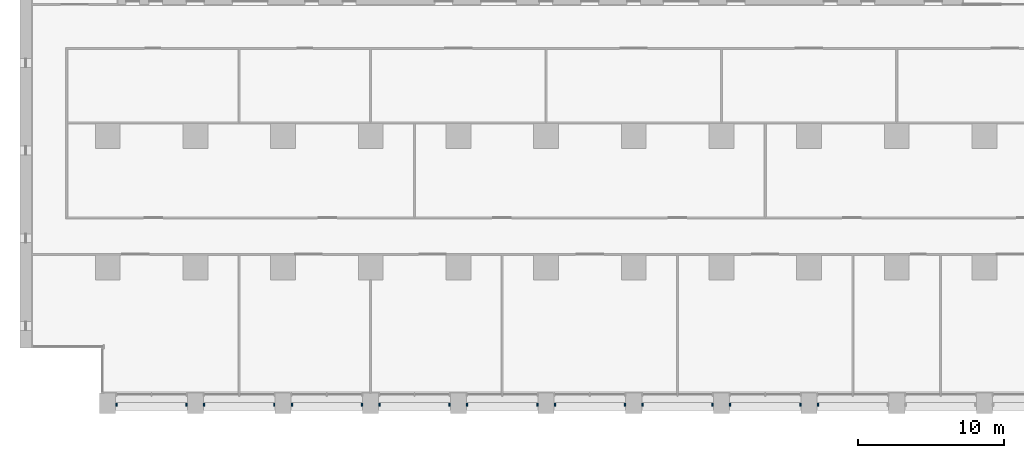
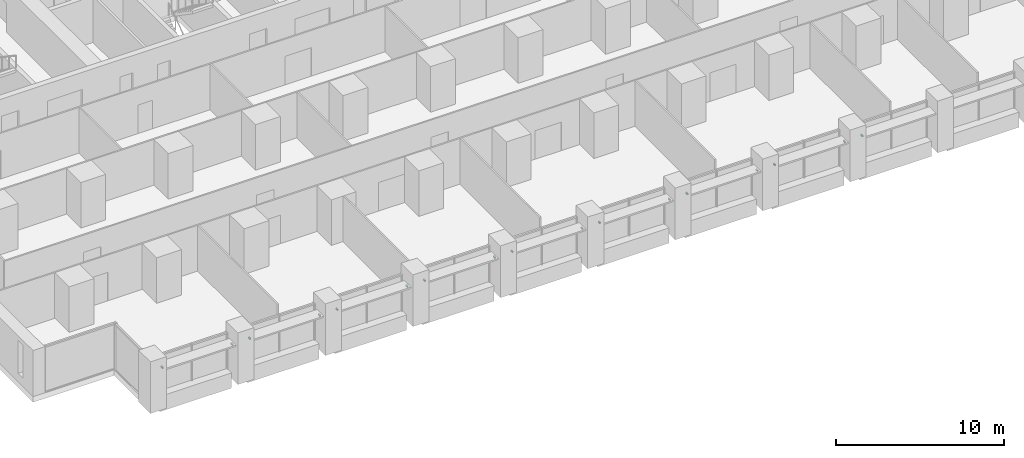
# One storey, part 15 of 18: 17 discrete accessories.
"""IFC4 building model written with IfcOpenShell, lengths in metres."""

from ifc_helpers import new_model, si_unit, direction, frame, origin, origin_2d, place, context, subcontext, project, spatial, rectangle, extrude, element, save


model = new_model("IFC4")

# Units and contexts
model_context = context("Model", 3, precision=1e-05, world=origin(), true_north=direction((0.0, 1.0)))
body_context = subcontext(model_context, "Body", "Model", "MODEL_VIEW")
ifc_project = project(units=[si_unit("LENGTHUNIT", "METRE"), si_unit("AREAUNIT", "SQUARE_METRE"), si_unit("VOLUMEUNIT", "CUBIC_METRE"), si_unit("PLANEANGLEUNIT", "RADIAN"), si_unit("MASSUNIT", "GRAM", prefix="KILO")], contexts=[model_context])

# Site, building, storey
site_placement = place(None, origin())
site = spatial("IfcSite", under=ifc_project, at=site_placement, CompositionType="ELEMENT")
building_placement = place(site_placement, origin())
building = spatial("IfcBuilding", under=site, at=building_placement, Name="Calvaro Tower", CompositionType="ELEMENT")
storey_placement = place(building_placement, frame((0.0, 0.0, 45.0)))
storey = spatial("IfcBuildingStorey", under=building, at=storey_placement, Name="L10", CompositionType="ELEMENT", Elevation=45.0)

# Discrete accessories
for number, where, z_axis, x_axis, name in (
    (1, (6.60009765625, 0.60009765625, 2.14990234375), (0.0, 0.0, 1.0), (1.0, 0.0, 0.0), "Brise-soleil bracket"),
    (2, (11.39990234375, 0.60009765625, 2.14990234375), (0.0, 0.0, 1.0), (1.0, 0.0, 0.0), "Brise-soleil bracket"),
    (3, (12.60009765625, 0.60009765625, 2.14990234375), (0.0, 0.0, 1.0), (1.0, 0.0, 0.0), "Brise-soleil bracket"),
    (4, (17.39990234375, 0.60009765625, 2.14990234375), (0.0, 0.0, 1.0), (1.0, 0.0, 0.0), "Brise-soleil bracket"),
    (5, (18.60009765625, 0.60009765625, 2.14990234375), (0.0, 0.0, 1.0), (1.0, 0.0, 0.0), "Brise-soleil bracket"),
    (6, (23.39990234375, 0.60009765625, 2.14990234375), (0.0, 0.0, 1.0), (1.0, 0.0, 0.0), "Brise-soleil bracket"),
    (7, (24.60009765625, 0.60009765625, 2.14990234375), (0.0, 0.0, 1.0), (1.0, 0.0, 0.0), "Brise-soleil bracket"),
    (8, (29.39990234375, 0.60009765625, 2.14990234375), (0.0, 0.0, 1.0), (1.0, 0.0, 0.0), "Brise-soleil bracket"),
    (9, (30.60009765625, 0.60009765625, 2.14990234375), (0.0, 0.0, 1.0), (1.0, 0.0, 0.0), "Brise-soleil bracket"),
    (10, (35.39990234375, 0.60009765625, 2.14990234375), (0.0, 0.0, 1.0), (1.0, 0.0, 0.0), "Brise-soleil bracket"),
    (11, (36.60009765625, 0.60009765625, 2.14990234375), (0.0, 0.0, 1.0), (1.0, 0.0, 0.0), "Brise-soleil bracket"),
    (12, (41.39990234375, 0.60009765625, 2.14990234375), (0.0, 0.0, 1.0), (1.0, 0.0, 0.0), "Brise-soleil bracket"),
    (13, (42.60009765625, 0.60009765625, 2.14990234375), (0.0, 0.0, 1.0), (1.0, 0.0, 0.0), "Brise-soleil bracket"),
    (14, (47.39990234375, 0.60009765625, 2.14990234375), (0.0, 0.0, 1.0), (1.0, 0.0, 0.0), "Brise-soleil bracket"),
    (15, (48.60009765625, 0.60009765625, 2.14990234375), (0.0, 0.0, 1.0), (1.0, 0.0, 0.0), "Brise-soleil bracket"),
    (16, (53.39990234375, 0.60009765625, 2.14990234375), (0.0, 0.0, 1.0), (1.0, 0.0, 0.0), "Brise-soleil bracket"),
    (17, (54.60009765625, 0.60009765625, 2.14990234375), (0.0, 0.0, 1.0), (1.0, 0.0, 0.0), "Brise-soleil bracket"),
):
    element("IfcDiscreteAccessory", number, at=place(storey_placement, frame(where, z_axis=z_axis, x_axis=x_axis)), inside=storey, Name=name, PredefinedType="BRACKET", context=body_context, shape_type="SweptSolid", body=[
        extrude(rectangle(XDim=0.10009765625, YDim=0.199951171875, at=origin_2d()), origin(), (0.0, 0.0, 1.0), 0.10009765625),
    ])

save(model, "model.ifc")
